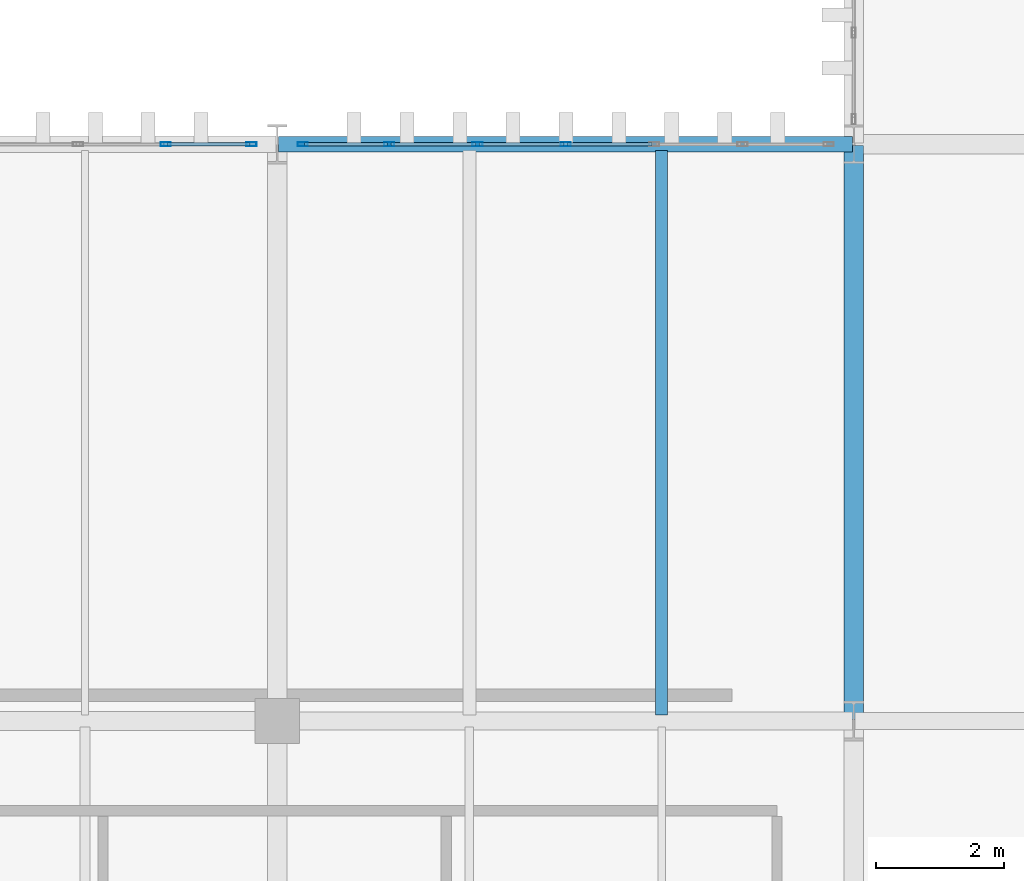
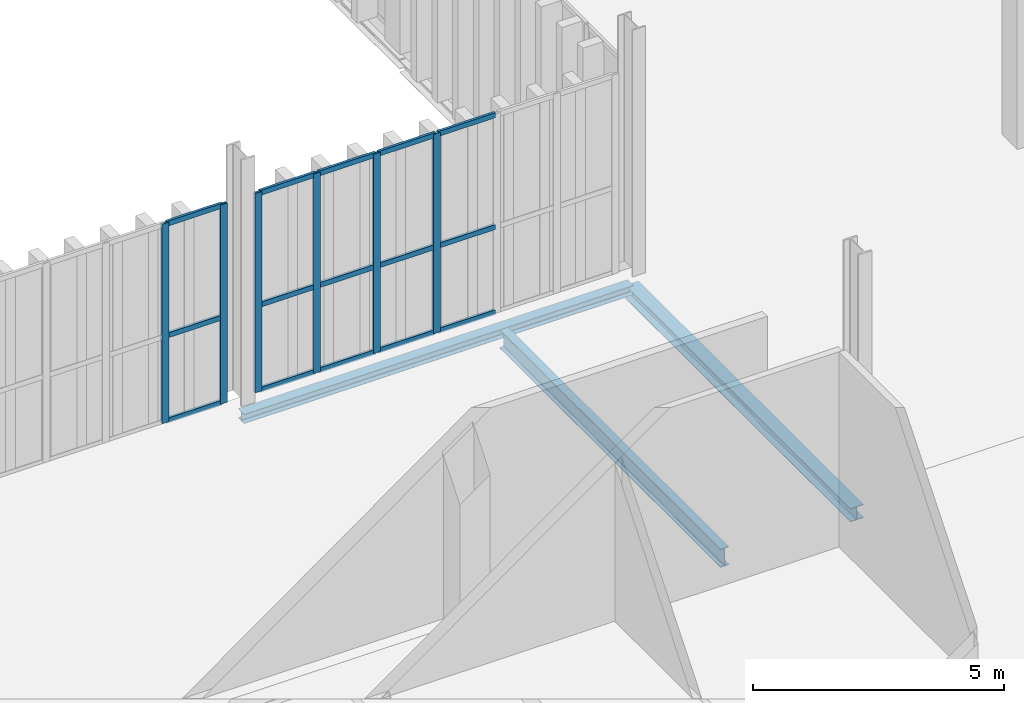
# One storey, part 126 of 237: 21 members, 3 beams, 2 elements without a shape of their own.
"""IFC4 building model written with IfcOpenShell, lengths in metres."""

import ifcopenshell
import ifcopenshell.guid

model = None  # the IFC model being written
_history = None  # IfcOwnerHistory: only IFC2X3 demands one
_inside = {}  # id of a spatial element -> (the spatial element, [elements in it])
_under = {}  # id of a project, library or spatial element -> (it, [spatial elements below it])
_declared = {}  # id of a project -> (the project, [libraries it declares])
_typed = {}  # id of a type object -> (the type object, [elements of that type])
_made_of = {}  # id of a material, layer set ... -> (it, [elements and type objects made of it])


def new_model(schema):
    """Start an empty IFC model of exactly this schema.

    Asked for "IFC4X3", IfcOpenShell would pick the latest addendum, in which some entities
    have other attributes; the version numbers below select the first issue.
    IFC2X3 requires an IfcOwnerHistory on every rooted entity: one is made here for all.
    """
    global model, _history
    if schema == "IFC4X3":
        model = ifcopenshell.file(schema_version=(4, 3, 0, 0))
    else:
        model = ifcopenshell.file(schema=schema)
    _inside.clear()
    _under.clear()
    _declared.clear()
    _typed.clear()
    _made_of.clear()
    _history = None
    if model.schema == "IFC2X3":
        org = make("IfcOrganization", Name="unknown")
        user = make(
            "IfcPersonAndOrganization",
            ThePerson=make("IfcPerson", FamilyName="unknown"),
            TheOrganization=org,
        )
        app = make(
            "IfcApplication",
            ApplicationDeveloper=org,
            Version="unknown",
            ApplicationFullName="unknown",
            ApplicationIdentifier="unknown",
        )
        _history = make(
            "IfcOwnerHistory",
            OwningUser=user,
            OwningApplication=app,
            ChangeAction="ADDED",
            CreationDate=0,
        )
    return model


def make(cls, **values):
    """One entity of the class cls with the attributes given. An attribute that is None is left unset."""
    return model.create_entity(
        cls, **{name: value for name, value in values.items() if value is not None}
    )


def rooted(cls, **values):
    """An entity with a GlobalId (a new one), such as an element, a storey or a relation."""
    return make(cls, GlobalId=ifcopenshell.guid.new(), OwnerHistory=_history, **values)


def si_unit(unit_type, name, prefix=None):
    """IfcSIUnit, for example si_unit("LENGTHUNIT", "METRE", prefix="MILLI")."""
    return make("IfcSIUnit", UnitType=unit_type, Prefix=prefix, Name=name)


def assignment(units):
    """IfcUnitAssignment: the units of a project."""
    return None if units is None else make("IfcUnitAssignment", Units=units)


def point(xyz):
    """IfcCartesianPoint."""
    return None if xyz is None else make("IfcCartesianPoint", Coordinates=xyz)


def direction(xyz):
    """IfcDirection."""
    return None if xyz is None else make("IfcDirection", DirectionRatios=xyz)


def frame(location, z_axis=None, x_axis=None):
    """IfcAxis2Placement3D, a coordinate frame: its origin and axes. An axis left out is left unset."""
    return make(
        "IfcAxis2Placement3D",
        Location=point(location),
        Axis=direction(z_axis),
        RefDirection=direction(x_axis),
    )


def frame_2d(location, x_axis=None):
    """IfcAxis2Placement2D, a coordinate frame in the plane: its origin and x axis."""
    return make(
        "IfcAxis2Placement2D", Location=point(location), RefDirection=direction(x_axis)
    )


def origin():
    """The frame at (0, 0, 0) with its axes left unset."""
    return frame((0.0, 0.0, 0.0))


def origin_2d():
    """The frame at (0, 0) in the plane with its x axis left unset."""
    return frame_2d((0.0, 0.0))


def place(relative_to, where):
    """IfcLocalPlacement: puts the frame where relative to a parent placement (None: the world)."""
    return make(
        "IfcLocalPlacement", PlacementRelTo=relative_to, RelativePlacement=where
    )


def context(
    kind, dimensions, precision=None, world=None, true_north=None, identifier=None
):
    """IfcGeometricRepresentationContext, for example the 3D "Model" context."""
    return make(
        "IfcGeometricRepresentationContext",
        ContextIdentifier=identifier,
        ContextType=kind,
        CoordinateSpaceDimension=dimensions,
        Precision=precision,
        WorldCoordinateSystem=world,
        TrueNorth=true_north,
    )


def subcontext(parent, identifier, kind, view, scale=None):
    """IfcGeometricRepresentationSubContext, for example "Body" below "Model"."""
    return make(
        "IfcGeometricRepresentationSubContext",
        ContextIdentifier=identifier,
        ContextType=kind,
        ParentContext=parent,
        TargetScale=scale,
        TargetView=view,
    )


def project(units=None, contexts=None):
    """IfcProject with its units and contexts."""
    return rooted(
        "IfcProject",
        Name="project",
        RepresentationContexts=contexts,
        UnitsInContext=assignment(units),
    )


def spatial(cls, under=None, at=None, **own):
    """A site, building, storey or space (cls), placed at a placement, below another one or the project."""
    s = rooted(cls, ObjectPlacement=at, **own)
    if under is not None:
        _under.setdefault(under.id(), (under, []))[1].append(s)
    return s


def profile(cls, at=None, kind="AREA", **sizes):
    """A parametric profile (cls). Its sizes go by their IFC names, for example OverallWidth=200.0."""
    return make(cls, ProfileType=kind, Position=at, **sizes)


def hollow_rectangle(**sizes):
    """IfcRectangleHollowProfileDef."""
    return profile("IfcRectangleHollowProfileDef", **sizes)


def i_section(**sizes):
    """IfcIShapeProfileDef."""
    return profile("IfcIShapeProfileDef", **sizes)


def extrude(swept, where, along, depth):
    """IfcExtrudedAreaSolid: the profile swept, set in the frame where, extruded along a direction by depth."""
    return make(
        "IfcExtrudedAreaSolid",
        SweptArea=swept,
        Position=where,
        ExtrudedDirection=direction(along),
        Depth=depth,
    )


def shape(context_of_items, identifier, shape_type, items):
    """IfcShapeRepresentation: the items that make up one representation, for example the "Body"."""
    return make(
        "IfcShapeRepresentation",
        ContextOfItems=context_of_items,
        RepresentationIdentifier=identifier,
        RepresentationType=shape_type,
        Items=items,
    )


def material(Name=None, Category=None):
    """IfcMaterial."""
    return make("IfcMaterial", Name=Name, Category=Category)


def layer(
    of_material, thickness, ventilated=None, Name=None, Category=None, Priority=None
):
    """IfcMaterialLayer: one layer of a wall or slab, of a material (None: an air gap)."""
    return make(
        "IfcMaterialLayer",
        Material=of_material,
        LayerThickness=thickness,
        IsVentilated=ventilated,
        Name=Name,
        Category=Category,
        Priority=Priority,
    )


def layer_set(layers, Name=None):
    """IfcMaterialLayerSet."""
    return make("IfcMaterialLayerSet", MaterialLayers=layers, LayerSetName=Name)


def material_profile(
    of_material, cross_section, Name=None, Category=None, Priority=None
):
    """IfcMaterialProfile: a cross section and its material."""
    return make(
        "IfcMaterialProfile",
        Name=Name,
        Material=of_material,
        Profile=cross_section,
        Priority=Priority,
        Category=Category,
    )


def profile_set(profiles, Name=None, composite=None):
    """IfcMaterialProfileSet."""
    return make(
        "IfcMaterialProfileSet",
        Name=Name,
        MaterialProfiles=profiles,
        CompositeProfile=composite,
    )


def made_of(thing, what):
    """Note that an element or type object is made of a material, layer set ...; save() writes the relation."""
    if what is not None:
        _made_of.setdefault(what.id(), (what, []))[1].append(thing)
    return thing


def type_object(cls, material=None, **own):
    """A type object (cls), such as IfcWallType, which elements share."""
    return made_of(rooted(cls, **own), material)


def element(
    cls,
    number,
    at=None,
    inside=None,
    cuts=None,
    type_object=None,
    material=None,
    context=None,
    identifier="Body",
    shape_type=None,
    held_by="IfcProductDefinitionShape",
    body=None,
    shapes=None,
    **own,
):
    """One element of the class cls, such as IfcWall. Its Tag is "e" and its number.

    at: its placement. inside: the storey or other place that contains it. cuts: it is an
    opening in that element (IfcRelVoidsElement). A single representation is given by context,
    identifier, shape_type and body (its items); several are given by shapes. held_by: the class
    of the entity that holds the representations. save() writes the other relations.
    """
    e = rooted(cls, Tag="e%d" % number, ObjectPlacement=at, **own)
    if body is not None:
        shapes = [shape(context, identifier, shape_type, body)]
    if shapes is not None:
        e.Representation = make(held_by, Representations=shapes)
    if inside is not None:
        _inside.setdefault(inside.id(), (inside, []))[1].append(e)
    if cuts is not None:
        rooted(
            "IfcRelVoidsElement", RelatingBuildingElement=cuts, RelatedOpeningElement=e
        )
    if type_object is not None:
        _typed.setdefault(type_object.id(), (type_object, []))[1].append(e)
    return made_of(e, material)


def aggregate(whole, parts):
    """IfcRelAggregates: a whole, such as a stair, and the parts it consists of."""
    return rooted("IfcRelAggregates", RelatingObject=whole, RelatedObjects=parts)


def save(model, path):
    """Write the relations noted so far, then the file.

    IfcRelAggregates (storeys below a building ...), IfcRelContainedInSpatialStructure (elements
    in a storey), IfcRelDefinesByType, IfcRelAssociatesMaterial and IfcRelDeclares: one each for
    every whole, place, type object, material and project.
    """
    for whole, parts in _under.values():
        aggregate(whole, parts)
    for where, things in _inside.values():
        rooted(
            "IfcRelContainedInSpatialStructure",
            RelatedElements=things,
            RelatingStructure=where,
        )
    for kind, things in _typed.values():
        rooted("IfcRelDefinesByType", RelatedObjects=things, RelatingType=kind)
    for what, things in _made_of.values():
        rooted("IfcRelAssociatesMaterial", RelatedObjects=things, RelatingMaterial=what)
    for by, libraries in _declared.values():
        rooted("IfcRelDeclares", RelatingContext=by, RelatedDefinitions=libraries)
    model.write(path)


model = new_model("IFC4")

# Units and contexts
model_context = context("Model", 3, precision=1e-05, world=origin(), true_north=direction((0.0, 1.0)))
body_context = subcontext(model_context, "Body", "Model", "MODEL_VIEW")
ifc_project = project(units=[si_unit("LENGTHUNIT", "METRE"), si_unit("AREAUNIT", "SQUARE_METRE"), si_unit("VOLUMEUNIT", "CUBIC_METRE"), si_unit("PLANEANGLEUNIT", "RADIAN"), si_unit("MASSUNIT", "GRAM", prefix="KILO")], contexts=[model_context])

# Site, building, storey
site_placement = place(None, origin())
site = spatial("IfcSite", under=ifc_project, at=site_placement, CompositionType="ELEMENT")
building_placement = place(site_placement, origin())
building = spatial("IfcBuilding", under=site, at=building_placement, Name="Barlavento Convention Centre", CompositionType="ELEMENT")
storey_placement = place(building_placement, frame((0.0, 0.0, 12.0)))
storey = spatial("IfcBuildingStorey", under=building, at=storey_placement, Name="L02", CompositionType="ELEMENT", Elevation=12.0)

# Curtain wall, members
ifc_material_1 = material(Name="Powder-coated aluminium and Low-E glass", Category="aluminium")
ifc_layer = layer(ifc_material_1, 0.195068359375)
ifc_layer_set = layer_set([ifc_layer], Name="ARC-CW-PATIO-A")
curtain_wall_type = type_object("IfcCurtainWallType", Name="ARC-CW-PATIO-A", PredefinedType="NOTDEFINED", material=ifc_layer_set)
curtain_wall_1_placement = place(storey_placement, origin())
curtain_wall_1 = element("IfcCurtainWall", 1, at=curtain_wall_1_placement, inside=storey, type_object=curtain_wall_type, Name="L02 unitised curtain wall CW11", PredefinedType="NOTDEFINED")
ifc_material_2 = material(Name="Powder-coated aluminium", Category="aluminium")
ifc_material_profile_1 = material_profile(ifc_material_2, hollow_rectangle(XDim=0.06005859375, YDim=0.159912109375, WallThickness=0.00390625, at=origin_2d()), Name="AL-MULL 60x160x4")
ifc_profile_set_1 = profile_set([ifc_material_profile_1], Name="Powder-coated aluminium")
member_type_1 = type_object("IfcMemberType", Name="ARC-CWM-60X160", PredefinedType="MULLION", material=ifc_profile_set_1)
member_1_placement = place(storey_placement, frame((160.260009765625, 63.0, 0.0), z_axis=(0.0, 0.0, 1.0), x_axis=(0.0, 1.0, 0.0)))
member_1 = element("IfcMember", 2, at=member_1_placement, type_object=member_type_1, Name="CW11 mullion 6", PredefinedType="MULLION", context=body_context, shape_type="SweptSolid", body=[
    extrude(hollow_rectangle(XDim=0.06005859375, YDim=0.159912109375, WallThickness=0.00390625, at=origin_2d()), origin(), (0.0, 0.0, 1.0), 4.85009765625),
])
member_2_placement = place(storey_placement, frame((161.60009765625, 63.0, 0.0), z_axis=(0.0, 0.0, 1.0), x_axis=(0.0, 1.0, 0.0)))
member_2 = element("IfcMember", 3, at=member_2_placement, type_object=member_type_1, Name="CW11 mullion 7", PredefinedType="MULLION", context=body_context, shape_type="SweptSolid", body=[
    extrude(hollow_rectangle(XDim=0.06005859375, YDim=0.159912109375, WallThickness=0.00390625, at=origin_2d()), origin(), (0.0, 0.0, 1.0), 4.85009765625),
])

curtain_wall_2_placement = place(storey_placement, origin())
curtain_wall_2 = element("IfcCurtainWall", 4, at=curtain_wall_2_placement, inside=storey, type_object=curtain_wall_type, Name="L02 unitised curtain wall CW11", PredefinedType="NOTDEFINED")
member_3_placement = place(storey_placement, frame((162.39990234375, 63.0, 0.0), z_axis=(0.0, 0.0, 1.0), x_axis=(0.0, 1.0, 0.0)))
member_3 = element("IfcMember", 5, at=member_3_placement, type_object=member_type_1, Name="CW11 mullion 1", PredefinedType="MULLION", context=body_context, shape_type="SweptSolid", body=[
    extrude(hollow_rectangle(XDim=0.06005859375, YDim=0.159912109375, WallThickness=0.00390625, at=origin_2d()), origin(), (0.0, 0.0, 1.0), 4.85009765625),
])
member_4_placement = place(storey_placement, frame((163.748291015625, 63.0, 0.0), z_axis=(0.0, 0.0, 1.0), x_axis=(0.0, 1.0, 0.0)))
member_4 = element("IfcMember", 6, at=member_4_placement, type_object=member_type_1, Name="CW11 mullion 2", PredefinedType="MULLION", context=body_context, shape_type="SweptSolid", body=[
    extrude(hollow_rectangle(XDim=0.06005859375, YDim=0.159912109375, WallThickness=0.00390625, at=origin_2d()), origin(), (0.0, 0.0, 1.0), 4.85009765625),
])
member_5_placement = place(storey_placement, frame((165.126708984375, 63.0, 0.0), z_axis=(0.0, 0.0, 1.0), x_axis=(0.0, 1.0, 0.0)))
member_5 = element("IfcMember", 7, at=member_5_placement, type_object=member_type_1, Name="CW11 mullion 3", PredefinedType="MULLION", context=body_context, shape_type="SweptSolid", body=[
    extrude(hollow_rectangle(XDim=0.06005859375, YDim=0.159912109375, WallThickness=0.00390625, at=origin_2d()), origin(), (0.0, 0.0, 1.0), 4.85009765625),
])
member_6_placement = place(storey_placement, frame((166.5048828125, 63.0, 0.0), z_axis=(0.0, 0.0, 1.0), x_axis=(0.0, 1.0, 0.0)))
member_6 = element("IfcMember", 8, at=member_6_placement, type_object=member_type_1, Name="CW11 mullion 4", PredefinedType="MULLION", context=body_context, shape_type="SweptSolid", body=[
    extrude(hollow_rectangle(XDim=0.06005859375, YDim=0.159912109375, WallThickness=0.00390625, at=origin_2d()), origin(), (0.0, 0.0, 1.0), 4.85009765625),
])

# Member
ifc_material_profile_2 = material_profile(ifc_material_2, hollow_rectangle(XDim=0.06005859375, YDim=0.1201171875, WallThickness=0.00390625, at=origin_2d()), Name="AL-TRAN 60x120x4")
ifc_profile_set_2 = profile_set([ifc_material_profile_2], Name="Powder-coated aluminium")
member_type_2 = type_object("IfcMemberType", Name="ARC-CWT-60X120", PredefinedType="USERDEFINED", material=ifc_profile_set_2)
member_7_placement = place(storey_placement, frame((160.2900390625, 63.0, 0.030029296875), z_axis=(1.0, 0.0, 0.0), x_axis=(0.0, 1.0, 0.0)))
member_7 = element("IfcMember", 9, at=member_7_placement, type_object=member_type_2, Name="CW11 transom 6.1", ObjectType="TRANSOM", PredefinedType="USERDEFINED", context=body_context, shape_type="SweptSolid", body=[
    extrude(hollow_rectangle(XDim=0.06005859375, YDim=0.1201171875, WallThickness=0.00390625, at=origin_2d()), origin(), (0.0, 0.0, 1.0), 1.280029296875),
])

member_8_placement = place(storey_placement, frame((160.2900390625, 63.0, 2.10009765625), z_axis=(1.0, 0.0, 0.0), x_axis=(0.0, 1.0, 0.0)))
member_8 = element("IfcMember", 10, at=member_8_placement, type_object=member_type_2, Name="CW11 transom 6.2", ObjectType="TRANSOM", PredefinedType="USERDEFINED", context=body_context, shape_type="SweptSolid", body=[
    extrude(hollow_rectangle(XDim=0.06005859375, YDim=0.1201171875, WallThickness=0.00390625, at=origin_2d()), origin(), (0.0, 0.0, 1.0), 1.280029296875),
])

member_9_placement = place(storey_placement, frame((160.2900390625, 63.0, 4.820068359375), z_axis=(1.0, 0.0, 0.0), x_axis=(0.0, 1.0, 0.0)))
member_9 = element("IfcMember", 11, at=member_9_placement, type_object=member_type_2, Name="CW11 transom 6.3", ObjectType="TRANSOM", PredefinedType="USERDEFINED", context=body_context, shape_type="SweptSolid", body=[
    extrude(hollow_rectangle(XDim=0.06005859375, YDim=0.1201171875, WallThickness=0.00390625, at=origin_2d()), origin(), (0.0, 0.0, 1.0), 1.280029296875),
])

aggregate(curtain_wall_1, [member_1, member_2, member_7, member_8, member_9])

member_10_placement = place(storey_placement, frame((162.429931640625, 63.0, 0.030029296875), z_axis=(1.0, 0.0, 0.0), x_axis=(0.0, 1.0, 0.0)))
member_10 = element("IfcMember", 12, at=member_10_placement, type_object=member_type_2, Name="CW11 transom 1.1", ObjectType="TRANSOM", PredefinedType="USERDEFINED", context=body_context, shape_type="SweptSolid", body=[
    extrude(hollow_rectangle(XDim=0.06005859375, YDim=0.1201171875, WallThickness=0.00390625, at=origin_2d()), origin(), (0.0, 0.0, 1.0), 1.288330078125),
])

member_11_placement = place(storey_placement, frame((162.429931640625, 63.0, 2.10009765625), z_axis=(1.0, 0.0, 0.0), x_axis=(0.0, 1.0, 0.0)))
member_11 = element("IfcMember", 13, at=member_11_placement, type_object=member_type_2, Name="CW11 transom 1.2", ObjectType="TRANSOM", PredefinedType="USERDEFINED", context=body_context, shape_type="SweptSolid", body=[
    extrude(hollow_rectangle(XDim=0.06005859375, YDim=0.1201171875, WallThickness=0.00390625, at=origin_2d()), origin(), (0.0, 0.0, 1.0), 1.288330078125),
])

member_12_placement = place(storey_placement, frame((162.429931640625, 63.0, 4.820068359375), z_axis=(1.0, 0.0, 0.0), x_axis=(0.0, 1.0, 0.0)))
member_12 = element("IfcMember", 14, at=member_12_placement, type_object=member_type_2, Name="CW11 transom 1.3", ObjectType="TRANSOM", PredefinedType="USERDEFINED", context=body_context, shape_type="SweptSolid", body=[
    extrude(hollow_rectangle(XDim=0.06005859375, YDim=0.1201171875, WallThickness=0.00390625, at=origin_2d()), origin(), (0.0, 0.0, 1.0), 1.288330078125),
])

member_13_placement = place(storey_placement, frame((163.7783203125, 63.0, 0.030029296875), z_axis=(1.0, 0.0, 0.0), x_axis=(0.0, 1.0, 0.0)))
member_13 = element("IfcMember", 15, at=member_13_placement, type_object=member_type_2, Name="CW11 transom 2.1", ObjectType="TRANSOM", PredefinedType="USERDEFINED", context=body_context, shape_type="SweptSolid", body=[
    extrude(hollow_rectangle(XDim=0.06005859375, YDim=0.1201171875, WallThickness=0.00390625, at=origin_2d()), origin(), (0.0, 0.0, 1.0), 1.318359375),
])

member_14_placement = place(storey_placement, frame((163.7783203125, 63.0, 2.10009765625), z_axis=(1.0, 0.0, 0.0), x_axis=(0.0, 1.0, 0.0)))
member_14 = element("IfcMember", 16, at=member_14_placement, type_object=member_type_2, Name="CW11 transom 2.2", ObjectType="TRANSOM", PredefinedType="USERDEFINED", context=body_context, shape_type="SweptSolid", body=[
    extrude(hollow_rectangle(XDim=0.06005859375, YDim=0.1201171875, WallThickness=0.00390625, at=origin_2d()), origin(), (0.0, 0.0, 1.0), 1.318359375),
])

member_15_placement = place(storey_placement, frame((163.7783203125, 63.0, 4.820068359375), z_axis=(1.0, 0.0, 0.0), x_axis=(0.0, 1.0, 0.0)))
member_15 = element("IfcMember", 17, at=member_15_placement, type_object=member_type_2, Name="CW11 transom 2.3", ObjectType="TRANSOM", PredefinedType="USERDEFINED", context=body_context, shape_type="SweptSolid", body=[
    extrude(hollow_rectangle(XDim=0.06005859375, YDim=0.1201171875, WallThickness=0.00390625, at=origin_2d()), origin(), (0.0, 0.0, 1.0), 1.318359375),
])

member_16_placement = place(storey_placement, frame((165.15673828125, 63.0, 0.030029296875), z_axis=(1.0, 0.0, 0.0), x_axis=(0.0, 1.0, 0.0)))
member_16 = element("IfcMember", 18, at=member_16_placement, type_object=member_type_2, Name="CW11 transom 3.1", ObjectType="TRANSOM", PredefinedType="USERDEFINED", context=body_context, shape_type="SweptSolid", body=[
    extrude(hollow_rectangle(XDim=0.06005859375, YDim=0.1201171875, WallThickness=0.00390625, at=origin_2d()), origin(), (0.0, 0.0, 1.0), 1.318359375),
])

member_17_placement = place(storey_placement, frame((165.15673828125, 63.0, 2.10009765625), z_axis=(1.0, 0.0, 0.0), x_axis=(0.0, 1.0, 0.0)))
member_17 = element("IfcMember", 19, at=member_17_placement, type_object=member_type_2, Name="CW11 transom 3.2", ObjectType="TRANSOM", PredefinedType="USERDEFINED", context=body_context, shape_type="SweptSolid", body=[
    extrude(hollow_rectangle(XDim=0.06005859375, YDim=0.1201171875, WallThickness=0.00390625, at=origin_2d()), origin(), (0.0, 0.0, 1.0), 1.318359375),
])

member_18_placement = place(storey_placement, frame((165.15673828125, 63.0, 4.820068359375), z_axis=(1.0, 0.0, 0.0), x_axis=(0.0, 1.0, 0.0)))
member_18 = element("IfcMember", 20, at=member_18_placement, type_object=member_type_2, Name="CW11 transom 3.3", ObjectType="TRANSOM", PredefinedType="USERDEFINED", context=body_context, shape_type="SweptSolid", body=[
    extrude(hollow_rectangle(XDim=0.06005859375, YDim=0.1201171875, WallThickness=0.00390625, at=origin_2d()), origin(), (0.0, 0.0, 1.0), 1.318359375),
])

member_19_placement = place(storey_placement, frame((166.534912109375, 63.0, 0.030029296875), z_axis=(1.0, 0.0, 0.0), x_axis=(0.0, 1.0, 0.0)))
member_19 = element("IfcMember", 21, at=member_19_placement, type_object=member_type_2, Name="CW11 transom 4.1", ObjectType="TRANSOM", PredefinedType="USERDEFINED", context=body_context, shape_type="SweptSolid", body=[
    extrude(hollow_rectangle(XDim=0.06005859375, YDim=0.1201171875, WallThickness=0.00390625, at=origin_2d()), origin(), (0.0, 0.0, 1.0), 1.318359375),
])

member_20_placement = place(storey_placement, frame((166.534912109375, 63.0, 2.10009765625), z_axis=(1.0, 0.0, 0.0), x_axis=(0.0, 1.0, 0.0)))
member_20 = element("IfcMember", 22, at=member_20_placement, type_object=member_type_2, Name="CW11 transom 4.2", ObjectType="TRANSOM", PredefinedType="USERDEFINED", context=body_context, shape_type="SweptSolid", body=[
    extrude(hollow_rectangle(XDim=0.06005859375, YDim=0.1201171875, WallThickness=0.00390625, at=origin_2d()), origin(), (0.0, 0.0, 1.0), 1.318359375),
])

member_21_placement = place(storey_placement, frame((166.534912109375, 63.0, 4.820068359375), z_axis=(1.0, 0.0, 0.0), x_axis=(0.0, 1.0, 0.0)))
member_21 = element("IfcMember", 23, at=member_21_placement, type_object=member_type_2, Name="CW11 transom 4.3", ObjectType="TRANSOM", PredefinedType="USERDEFINED", context=body_context, shape_type="SweptSolid", body=[
    extrude(hollow_rectangle(XDim=0.06005859375, YDim=0.1201171875, WallThickness=0.00390625, at=origin_2d()), origin(), (0.0, 0.0, 1.0), 1.318359375),
])

aggregate(curtain_wall_2, [member_3, member_4, member_5, member_6, member_10, member_11, member_12, member_13, member_14, member_15, member_16, member_17, member_18, member_19, member_20, member_21])

# Beams
ifc_material_3 = material(Name="Steel S355", Category="steel")
ifc_material_profile_3 = material_profile(ifc_material_3, i_section(OverallWidth=0.18994140625, OverallDepth=0.449951171875, WebThickness=0.009521484375, FlangeThickness=0.0146484375, FilletRadius=0.02099609375, at=origin_2d()), Name="IPE 450")
ifc_profile_set_3 = profile_set([ifc_material_profile_3], Name="Steel S355")
beam_type_1 = type_object("IfcBeamType", Name="STR-BM-JST-IPE450", PredefinedType="JOIST", material=ifc_profile_set_3)
beam_1_placement = place(storey_placement, frame((168.0, 54.094970703125, -0.594970703125), z_axis=(0.0, 1.0, 0.0), x_axis=(-1.0, 0.0, 0.0)))
element("IfcBeam", 24, at=beam_1_placement, inside=storey, type_object=beam_type_1, Name="L02 composite floor joist SJ03", PredefinedType="JOIST", context=body_context, shape_type="SweptSolid", body=[
    extrude(i_section(OverallWidth=0.18994140625, OverallDepth=0.449951171875, WebThickness=0.009521484375, FlangeThickness=0.0146484375, FilletRadius=0.02099609375, at=origin_2d()), origin(), (0.0, 0.0, 1.0), 8.81005859375),
])
ifc_material_profile_4 = material_profile(ifc_material_3, i_section(OverallWidth=0.300048828125, OverallDepth=0.330078125, WebThickness=0.009521484375, FlangeThickness=0.0166015625, FilletRadius=0.027099609375, at=origin_2d()), Name="HEA 340")
ifc_profile_set_4 = profile_set([ifc_material_profile_4], Name="Steel S355")
beam_type_2 = type_object("IfcBeamType", Name="STR-BM-PRI-HEA340", PredefinedType="BEAM", material=ifc_profile_set_4)
beam_2_placement = place(storey_placement, frame((171.0, 54.02001953125, -0.534912109375), z_axis=(0.0, 1.0, 0.0), x_axis=(-1.0, 0.0, 0.0)))
element("IfcBeam", 25, at=beam_2_placement, inside=storey, type_object=beam_type_2, Name="L02 grid girder BG24", PredefinedType="BEAM", context=body_context, shape_type="SweptSolid", body=[
    extrude(i_section(OverallWidth=0.300048828125, OverallDepth=0.330078125, WebThickness=0.009521484375, FlangeThickness=0.0166015625, FilletRadius=0.027099609375, at=origin_2d()), origin(), (0.0, 0.0, 1.0), 8.9599609375),
])
ifc_material_profile_5 = material_profile(ifc_material_3, i_section(OverallWidth=0.239990234375, OverallDepth=0.22998046875, WebThickness=0.007568359375, FlangeThickness=0.011962890625, FilletRadius=0.02099609375, at=origin_2d()), Name="HEA 240")
ifc_profile_set_5 = profile_set([ifc_material_profile_5], Name="Steel S355")
beam_type_3 = type_object("IfcBeamType", Name="STR-BM-SPN-HEA240", PredefinedType="SPANDREL", material=ifc_profile_set_5)
beam_3_placement = place(storey_placement, frame((162.02001953125, 63.0, -0.47509765625), z_axis=(1.0, 0.0, 0.0), x_axis=(0.0, 1.0, 0.0)))
element("IfcBeam", 26, at=beam_3_placement, inside=storey, type_object=beam_type_3, Name="L02 primary girder SP05", PredefinedType="SPANDREL", context=body_context, shape_type="SweptSolid", body=[
    extrude(i_section(OverallWidth=0.239990234375, OverallDepth=0.22998046875, WebThickness=0.007568359375, FlangeThickness=0.011962890625, FilletRadius=0.02099609375, at=origin_2d()), origin(), (0.0, 0.0, 1.0), 8.9599609375),
])

save(model, "model.ifc")
